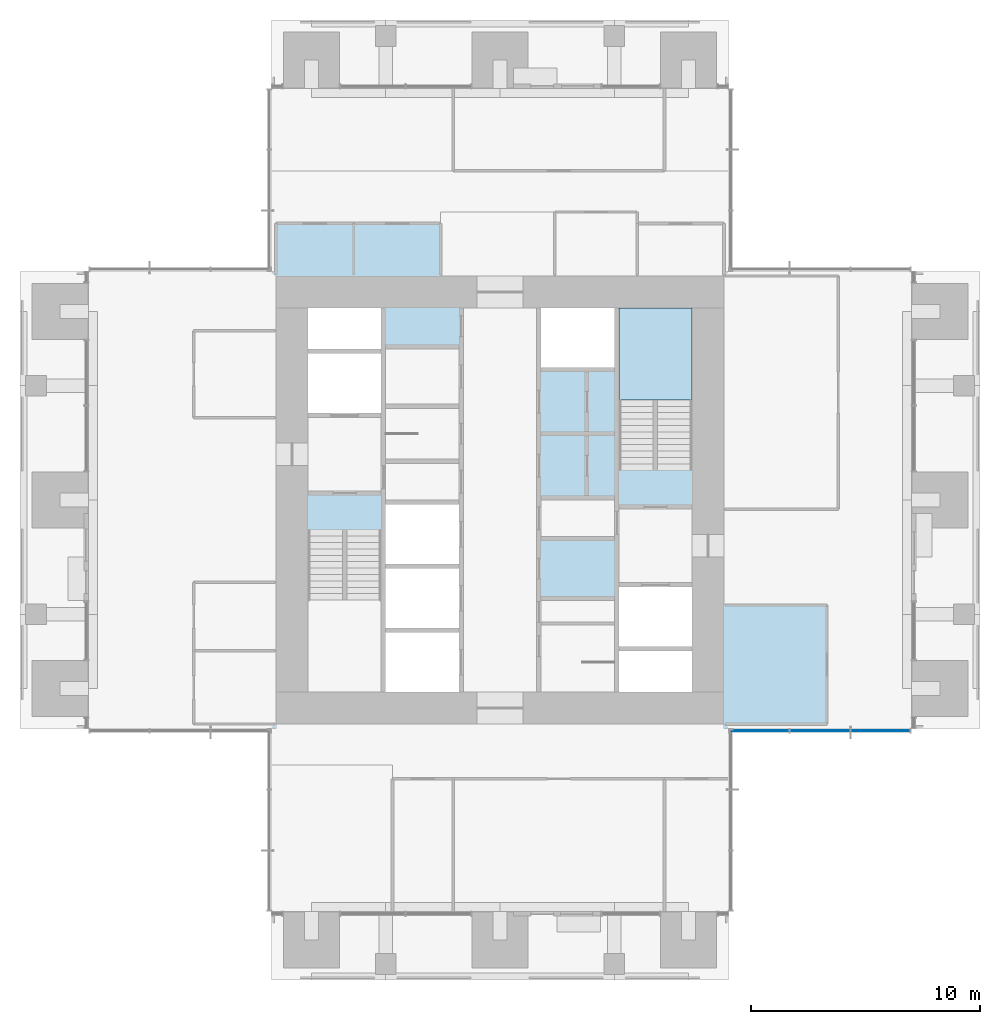
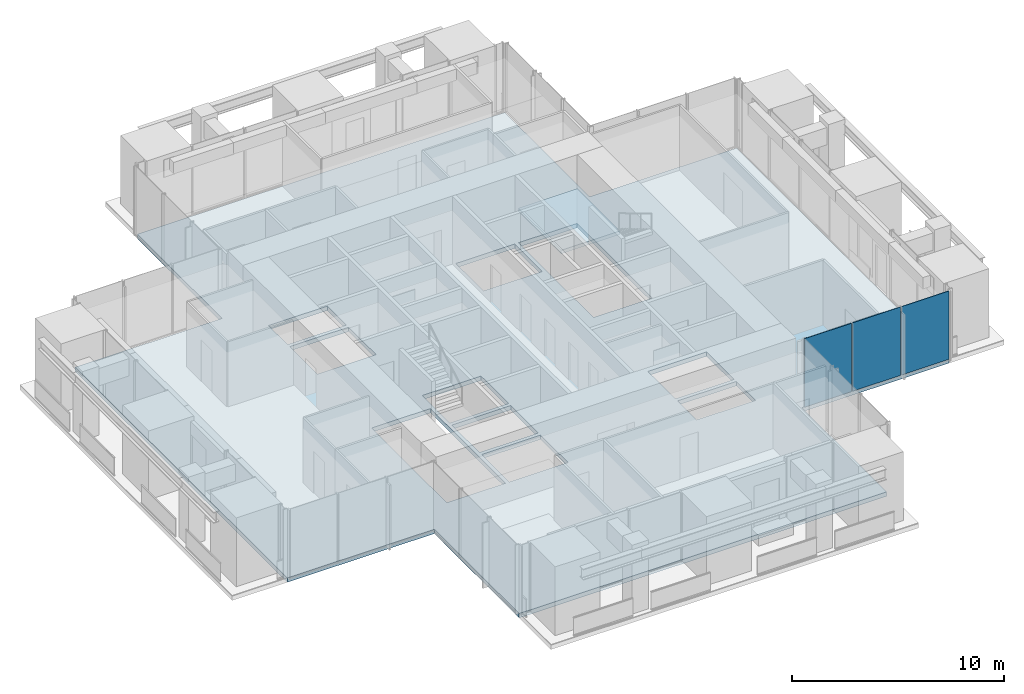
# One storey, part 9 of 17: 3 plates, 2 slabs, 2 elements without a shape of their own.
"""IFC4 building model written with IfcOpenShell, lengths in metres."""

from ifc_helpers import new_model, si_unit, direction, frame, origin, origin_2d, place, context, subcontext, project, spatial, polyline, rectangle, outline, extrude, material, layer, layer_set, type_object, element, aggregate, save


model = new_model("IFC4")

# Units and contexts
model_context = context("Model", 3, precision=1e-05, world=origin(), true_north=direction((0.0, 1.0)))
body_context = subcontext(model_context, "Body", "Model", "MODEL_VIEW")
ifc_project = project(units=[si_unit("LENGTHUNIT", "METRE"), si_unit("AREAUNIT", "SQUARE_METRE"), si_unit("VOLUMEUNIT", "CUBIC_METRE"), si_unit("PLANEANGLEUNIT", "RADIAN"), si_unit("MASSUNIT", "GRAM", prefix="KILO")], contexts=[model_context])

# Site, building, storey
site_placement = place(None, origin())
site = spatial("IfcSite", under=ifc_project, at=site_placement, CompositionType="ELEMENT")
building_placement = place(site_placement, origin())
building = spatial("IfcBuilding", under=site, at=building_placement, Name="Svetlomir Tower", CompositionType="ELEMENT")
storey_placement = place(building_placement, frame((0.0, 0.0, 218.5)))
storey = spatial("IfcBuildingStorey", under=building, at=storey_placement, Name="L52", CompositionType="ELEMENT", Elevation=218.5)

# Curtain wall, plates
ifc_material_1 = material(Name="Bronze anodised aluminium curtain wall", Category="aluminium")
curtain_wall_type = type_object("IfcCurtainWallType", Name="CURTAIN WALL CW1 TOWER OFFICE", PredefinedType="NOTDEFINED", material=ifc_material_1)
curtain_wall_placement = place(storey_placement, origin())
curtain_wall = element("IfcCurtainWall", 1, at=curtain_wall_placement, inside=storey, type_object=curtain_wall_type, Name="Curtain wall CW1 L52", PredefinedType="NOTDEFINED")
ifc_material_2 = material(Name="Tinted double glazed unit", Category="glass")
ifc_layer_1 = layer(ifc_material_2, 0.031982421875)
ifc_layer_set_1 = layer_set([ifc_layer_1], Name="Tinted double glazed unit")
plate_type = type_object("IfcPlateType", Name="CW1 GLAZED PANEL 32", PredefinedType="CURTAIN_PANEL", material=ifc_layer_set_1)
plate_1_placement = place(storey_placement, frame((32.349609375, 10.89990234375, 0.06494140625), z_axis=(0.0, 0.0, 1.0), x_axis=(1.0, 0.0, 0.0)))
plate_1 = element("IfcPlate", 2, at=plate_1_placement, type_object=plate_type, Name="CW1 panel 1.1", PredefinedType="CURTAIN_PANEL", context=body_context, shape_type="SweptSolid", body=[
    extrude(rectangle(XDim=2.569091796875, YDim=0.031982421875, at=origin_2d()), origin(), (0.0, 0.0, 1.0), 3.93505859375),
])
plate_2_placement = place(storey_placement, frame((35.0, 10.89990234375, 0.06494140625), z_axis=(0.0, 0.0, 1.0), x_axis=(1.0, 0.0, 0.0)))
plate_2 = element("IfcPlate", 3, at=plate_2_placement, type_object=plate_type, Name="CW1 panel 2.1", PredefinedType="CURTAIN_PANEL", context=body_context, shape_type="SweptSolid", body=[
    extrude(rectangle(XDim=2.6015625, YDim=0.031982421875, at=origin_2d()), origin(), (0.0, 0.0, 1.0), 3.93505859375),
])
plate_3_placement = place(storey_placement, frame((37.650390625, 10.89990234375, 0.06494140625), z_axis=(0.0, 0.0, 1.0), x_axis=(1.0, 0.0, 0.0)))
plate_3 = element("IfcPlate", 4, at=plate_3_placement, type_object=plate_type, Name="CW1 panel 3.1", PredefinedType="CURTAIN_PANEL", context=body_context, shape_type="SweptSolid", body=[
    extrude(rectangle(XDim=2.569091796875, YDim=0.031982421875, at=origin_2d()), origin(), (0.0, 0.0, 1.0), 3.93505859375),
])
aggregate(curtain_wall, [plate_1, plate_2, plate_3])

# Slab
ifc_material_3 = material(Name="Concrete C60/75", Category="concrete")
ifc_layer_2 = layer(ifc_material_3, 0.25)
ifc_layer_set_2 = layer_set([ifc_layer_2], Name="Concrete C60/75")
slab_type_1 = type_object("IfcSlabType", Name="FLOOR SLAB 250", PredefinedType="FLOOR", material=ifc_layer_set_2)
slab_1_placement = place(storey_placement, frame((0.0, 0.0, -0.25)))
element("IfcSlab", 5, at=slab_1_placement, inside=storey, type_object=slab_type_1, Name="L52 floor slab", PredefinedType="FLOOR", context=body_context, shape_type="SweptSolid", body=[
    extrude(outline(polyline([(11.0, 3.0), (31.0, 3.0), (31.0, 11.0), (39.0, 11.0), (39.0, 31.0), (31.0, 31.0), (31.0, 39.0), (11.0, 39.0), (11.0, 31.0), (3.0, 31.0), (3.0, 11.0), (11.0, 11.0), (11.0, 3.0)]), holes=[polyline([(12.60009765625, 24.800048828125), (15.800048828125, 24.800048828125), (15.800048828125, 27.39990234375), (12.60009765625, 27.39990234375), (12.60009765625, 24.800048828125)]), polyline([(26.199951171875, 14.60009765625), (29.39990234375, 14.60009765625), (29.39990234375, 17.199951171875), (26.199951171875, 17.199951171875), (26.199951171875, 14.60009765625)]), polyline([(16.0, 12.60009765625), (19.199951171875, 12.60009765625), (19.199951171875, 15.199951171875), (16.0, 15.199951171875), (16.0, 12.60009765625)]), polyline([(16.0, 15.39990234375), (19.199951171875, 15.39990234375), (19.199951171875, 18.0), (16.0, 18.0), (16.0, 15.39990234375)]), polyline([(16.0, 18.199951171875), (19.199951171875, 18.199951171875), (19.199951171875, 20.800048828125), (16.0, 20.800048828125), (16.0, 18.199951171875)]), polyline([(22.800048828125, 26.800048828125), (26.0, 26.800048828125), (26.0, 29.39990234375), (22.800048828125, 29.39990234375), (22.800048828125, 26.800048828125)]), polyline([(12.60009765625, 27.60009765625), (15.800048828125, 27.60009765625), (15.800048828125, 29.39990234375), (12.60009765625, 29.39990234375), (12.60009765625, 27.60009765625)]), polyline([(26.199951171875, 12.60009765625), (29.39990234375, 12.60009765625), (29.39990234375, 14.39990234375), (26.199951171875, 14.39990234375), (26.199951171875, 12.60009765625)]), polyline([(12.60009765625, 12.60009765625), (15.800048828125, 12.60009765625), (15.800048828125, 19.679931640625), (12.60009765625, 19.679931640625), (12.60009765625, 12.60009765625)]), polyline([(26.199951171875, 22.320068359375), (29.39990234375, 22.320068359375), (29.39990234375, 29.39990234375), (26.199951171875, 29.39990234375), (26.199951171875, 22.320068359375)])]), origin(), (0.0, 0.0, 1.0), 0.25),
])

# Stair, slab
ifc_material_4 = material(Name="Concrete C60/75", Category="concrete")
stair_type = type_object("IfcStairType", Name="EXIT STAIR 3200 RISE 4000", PredefinedType="HALF_TURN_STAIR", material=ifc_material_4)
stair_placement = place(storey_placement, origin())
stair = element("IfcStair", 6, at=stair_placement, inside=storey, type_object=stair_type, Name="Stair S2 L52 to L53", PredefinedType="HALF_TURN_STAIR")
ifc_material_5 = material(Name="Concrete C60/75", Category="concrete")
ifc_layer_3 = layer(ifc_material_5, 0.199951171875)
ifc_layer_set_3 = layer_set([ifc_layer_3], Name="Concrete C60/75")
slab_type_2 = type_object("IfcSlabType", Name="STAIR LANDING 200", PredefinedType="LANDING", material=ifc_layer_set_3)
slab_2_placement = place(storey_placement, frame((0.0, 0.0, 1.800048828125)))
slab_2 = element("IfcSlab", 7, at=slab_2_placement, type_object=slab_type_2, Name="S2 landing 1", PredefinedType="LANDING", context=body_context, shape_type="SweptSolid", body=[
    extrude(outline(polyline([(26.199951171875, 25.3798828125), (29.39990234375, 25.3798828125), (29.39990234375, 29.39990234375), (26.199951171875, 29.39990234375), (26.199951171875, 25.3798828125)])), origin(), (0.0, 0.0, 1.0), 0.199951171875),
])
aggregate(stair, [slab_2])

save(model, "model.ifc")
